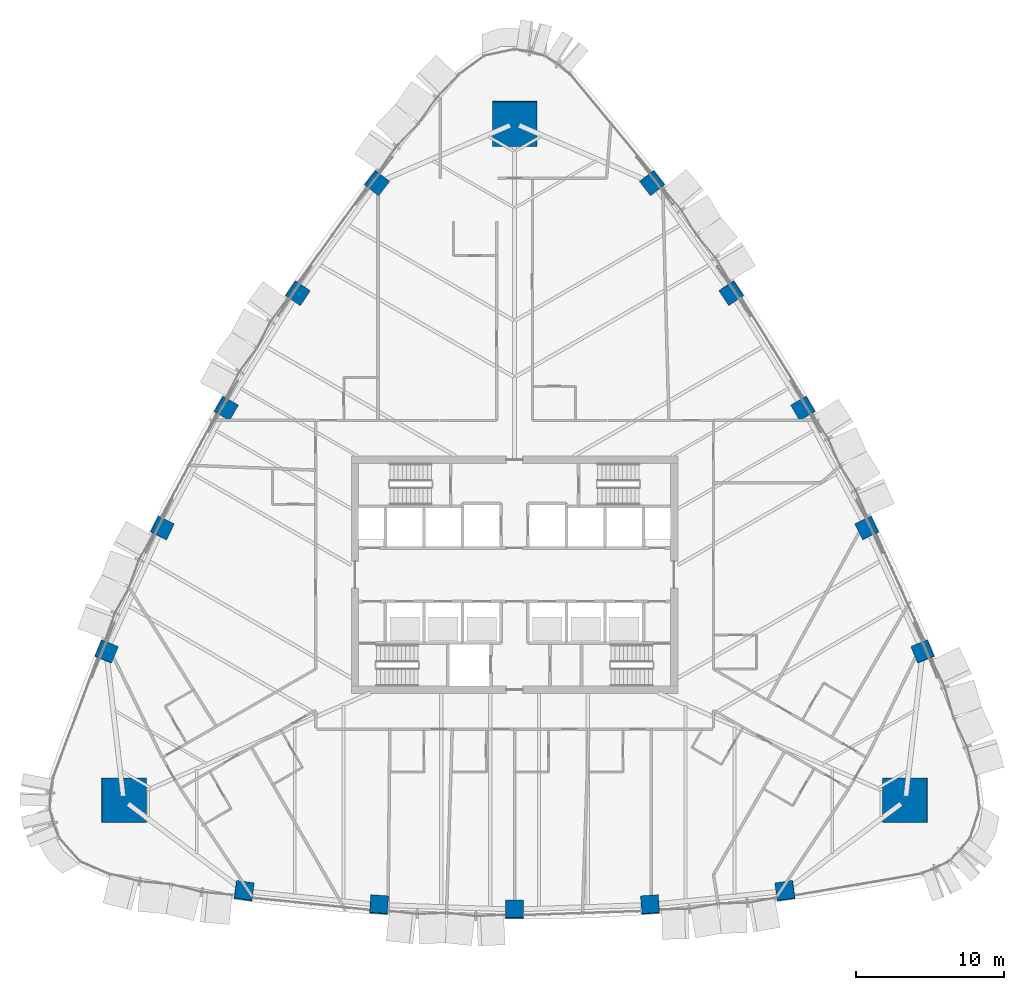
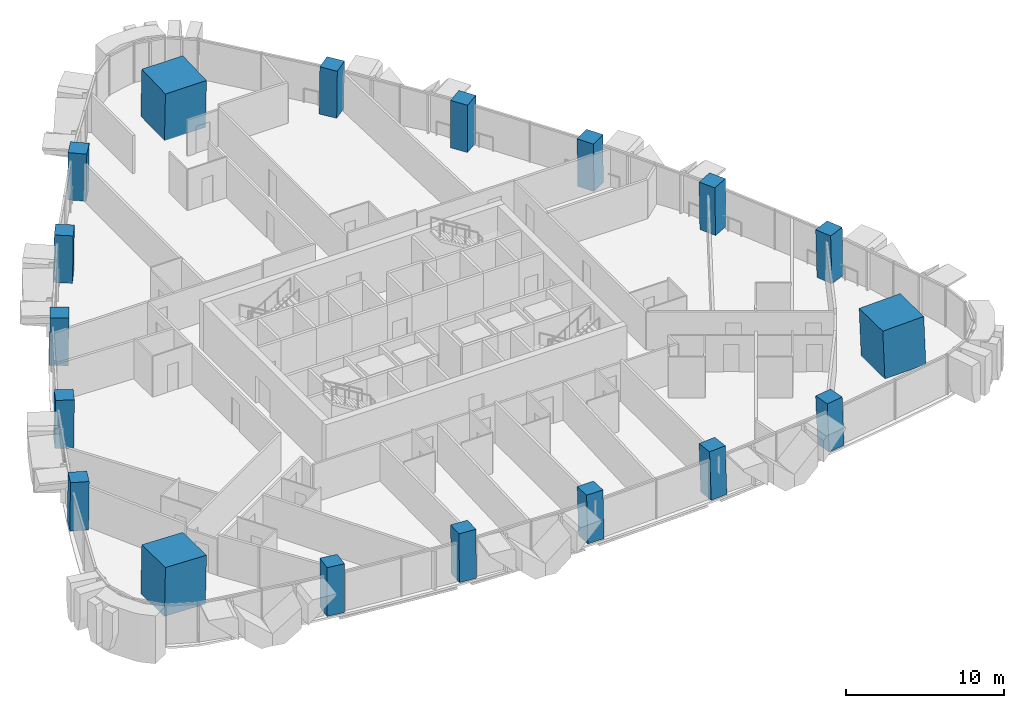
# One storey, part 1 of 19: 18 columns.
"""IFC4 building model written with IfcOpenShell, lengths in metres."""

import ifcopenshell
import ifcopenshell.guid

model = None  # the IFC model being written
_history = None  # IfcOwnerHistory: only IFC2X3 demands one
_inside = {}  # id of a spatial element -> (the spatial element, [elements in it])
_under = {}  # id of a project, library or spatial element -> (it, [spatial elements below it])
_declared = {}  # id of a project -> (the project, [libraries it declares])
_typed = {}  # id of a type object -> (the type object, [elements of that type])
_made_of = {}  # id of a material, layer set ... -> (it, [elements and type objects made of it])


def new_model(schema):
    """Start an empty IFC model of exactly this schema.

    Asked for "IFC4X3", IfcOpenShell would pick the latest addendum, in which some entities
    have other attributes; the version numbers below select the first issue.
    IFC2X3 requires an IfcOwnerHistory on every rooted entity: one is made here for all.
    """
    global model, _history
    if schema == "IFC4X3":
        model = ifcopenshell.file(schema_version=(4, 3, 0, 0))
    else:
        model = ifcopenshell.file(schema=schema)
    _inside.clear()
    _under.clear()
    _declared.clear()
    _typed.clear()
    _made_of.clear()
    _history = None
    if model.schema == "IFC2X3":
        org = make("IfcOrganization", Name="unknown")
        user = make(
            "IfcPersonAndOrganization",
            ThePerson=make("IfcPerson", FamilyName="unknown"),
            TheOrganization=org,
        )
        app = make(
            "IfcApplication",
            ApplicationDeveloper=org,
            Version="unknown",
            ApplicationFullName="unknown",
            ApplicationIdentifier="unknown",
        )
        _history = make(
            "IfcOwnerHistory",
            OwningUser=user,
            OwningApplication=app,
            ChangeAction="ADDED",
            CreationDate=0,
        )
    return model


def make(cls, **values):
    """One entity of the class cls with the attributes given. An attribute that is None is left unset."""
    return model.create_entity(
        cls, **{name: value for name, value in values.items() if value is not None}
    )


def rooted(cls, **values):
    """An entity with a GlobalId (a new one), such as an element, a storey or a relation."""
    return make(cls, GlobalId=ifcopenshell.guid.new(), OwnerHistory=_history, **values)


def si_unit(unit_type, name, prefix=None):
    """IfcSIUnit, for example si_unit("LENGTHUNIT", "METRE", prefix="MILLI")."""
    return make("IfcSIUnit", UnitType=unit_type, Prefix=prefix, Name=name)


def assignment(units):
    """IfcUnitAssignment: the units of a project."""
    return None if units is None else make("IfcUnitAssignment", Units=units)


def point(xyz):
    """IfcCartesianPoint."""
    return None if xyz is None else make("IfcCartesianPoint", Coordinates=xyz)


def direction(xyz):
    """IfcDirection."""
    return None if xyz is None else make("IfcDirection", DirectionRatios=xyz)


def frame(location, z_axis=None, x_axis=None):
    """IfcAxis2Placement3D, a coordinate frame: its origin and axes. An axis left out is left unset."""
    return make(
        "IfcAxis2Placement3D",
        Location=point(location),
        Axis=direction(z_axis),
        RefDirection=direction(x_axis),
    )


def frame_2d(location, x_axis=None):
    """IfcAxis2Placement2D, a coordinate frame in the plane: its origin and x axis."""
    return make(
        "IfcAxis2Placement2D", Location=point(location), RefDirection=direction(x_axis)
    )


def origin():
    """The frame at (0, 0, 0) with its axes left unset."""
    return frame((0.0, 0.0, 0.0))


def origin_2d():
    """The frame at (0, 0) in the plane with its x axis left unset."""
    return frame_2d((0.0, 0.0))


def place(relative_to, where):
    """IfcLocalPlacement: puts the frame where relative to a parent placement (None: the world)."""
    return make(
        "IfcLocalPlacement", PlacementRelTo=relative_to, RelativePlacement=where
    )


def context(
    kind, dimensions, precision=None, world=None, true_north=None, identifier=None
):
    """IfcGeometricRepresentationContext, for example the 3D "Model" context."""
    return make(
        "IfcGeometricRepresentationContext",
        ContextIdentifier=identifier,
        ContextType=kind,
        CoordinateSpaceDimension=dimensions,
        Precision=precision,
        WorldCoordinateSystem=world,
        TrueNorth=true_north,
    )


def subcontext(parent, identifier, kind, view, scale=None):
    """IfcGeometricRepresentationSubContext, for example "Body" below "Model"."""
    return make(
        "IfcGeometricRepresentationSubContext",
        ContextIdentifier=identifier,
        ContextType=kind,
        ParentContext=parent,
        TargetScale=scale,
        TargetView=view,
    )


def project(units=None, contexts=None):
    """IfcProject with its units and contexts."""
    return rooted(
        "IfcProject",
        Name="project",
        RepresentationContexts=contexts,
        UnitsInContext=assignment(units),
    )


def spatial(cls, under=None, at=None, **own):
    """A site, building, storey or space (cls), placed at a placement, below another one or the project."""
    s = rooted(cls, ObjectPlacement=at, **own)
    if under is not None:
        _under.setdefault(under.id(), (under, []))[1].append(s)
    return s


def profile(cls, at=None, kind="AREA", **sizes):
    """A parametric profile (cls). Its sizes go by their IFC names, for example OverallWidth=200.0."""
    return make(cls, ProfileType=kind, Position=at, **sizes)


def rectangle(**sizes):
    """IfcRectangleProfileDef."""
    return profile("IfcRectangleProfileDef", **sizes)


def extrude(swept, where, along, depth):
    """IfcExtrudedAreaSolid: the profile swept, set in the frame where, extruded along a direction by depth."""
    return make(
        "IfcExtrudedAreaSolid",
        SweptArea=swept,
        Position=where,
        ExtrudedDirection=direction(along),
        Depth=depth,
    )


def clip(a, b, op="DIFFERENCE"):
    """IfcBooleanClippingResult: the solid a cut by the half space b."""
    return make(
        "IfcBooleanClippingResult", Operator=op, FirstOperand=a, SecondOperand=b
    )


def halfspace(plane, agree):
    """IfcHalfSpaceSolid: all space on one side of the plane z = 0 of the frame plane."""
    return make(
        "IfcHalfSpaceSolid",
        BaseSurface=make("IfcPlane", Position=plane),
        AgreementFlag=agree,
    )


def shape(context_of_items, identifier, shape_type, items):
    """IfcShapeRepresentation: the items that make up one representation, for example the "Body"."""
    return make(
        "IfcShapeRepresentation",
        ContextOfItems=context_of_items,
        RepresentationIdentifier=identifier,
        RepresentationType=shape_type,
        Items=items,
    )


def material(Name=None, Category=None):
    """IfcMaterial."""
    return make("IfcMaterial", Name=Name, Category=Category)


def material_profile(
    of_material, cross_section, Name=None, Category=None, Priority=None
):
    """IfcMaterialProfile: a cross section and its material."""
    return make(
        "IfcMaterialProfile",
        Name=Name,
        Material=of_material,
        Profile=cross_section,
        Priority=Priority,
        Category=Category,
    )


def profile_set(profiles, Name=None, composite=None):
    """IfcMaterialProfileSet."""
    return make(
        "IfcMaterialProfileSet",
        Name=Name,
        MaterialProfiles=profiles,
        CompositeProfile=composite,
    )


def made_of(thing, what):
    """Note that an element or type object is made of a material, layer set ...; save() writes the relation."""
    if what is not None:
        _made_of.setdefault(what.id(), (what, []))[1].append(thing)
    return thing


def type_object(cls, material=None, **own):
    """A type object (cls), such as IfcWallType, which elements share."""
    return made_of(rooted(cls, **own), material)


def element(
    cls,
    number,
    at=None,
    inside=None,
    cuts=None,
    type_object=None,
    material=None,
    context=None,
    identifier="Body",
    shape_type=None,
    held_by="IfcProductDefinitionShape",
    body=None,
    shapes=None,
    **own,
):
    """One element of the class cls, such as IfcWall. Its Tag is "e" and its number.

    at: its placement. inside: the storey or other place that contains it. cuts: it is an
    opening in that element (IfcRelVoidsElement). A single representation is given by context,
    identifier, shape_type and body (its items); several are given by shapes. held_by: the class
    of the entity that holds the representations. save() writes the other relations.
    """
    e = rooted(cls, Tag="e%d" % number, ObjectPlacement=at, **own)
    if body is not None:
        shapes = [shape(context, identifier, shape_type, body)]
    if shapes is not None:
        e.Representation = make(held_by, Representations=shapes)
    if inside is not None:
        _inside.setdefault(inside.id(), (inside, []))[1].append(e)
    if cuts is not None:
        rooted(
            "IfcRelVoidsElement", RelatingBuildingElement=cuts, RelatedOpeningElement=e
        )
    if type_object is not None:
        _typed.setdefault(type_object.id(), (type_object, []))[1].append(e)
    return made_of(e, material)


def aggregate(whole, parts):
    """IfcRelAggregates: a whole, such as a stair, and the parts it consists of."""
    return rooted("IfcRelAggregates", RelatingObject=whole, RelatedObjects=parts)


def save(model, path):
    """Write the relations noted so far, then the file.

    IfcRelAggregates (storeys below a building ...), IfcRelContainedInSpatialStructure (elements
    in a storey), IfcRelDefinesByType, IfcRelAssociatesMaterial and IfcRelDeclares: one each for
    every whole, place, type object, material and project.
    """
    for whole, parts in _under.values():
        aggregate(whole, parts)
    for where, things in _inside.values():
        rooted(
            "IfcRelContainedInSpatialStructure",
            RelatedElements=things,
            RelatingStructure=where,
        )
    for kind, things in _typed.values():
        rooted("IfcRelDefinesByType", RelatedObjects=things, RelatingType=kind)
    for what, things in _made_of.values():
        rooted("IfcRelAssociatesMaterial", RelatedObjects=things, RelatingMaterial=what)
    for by, libraries in _declared.values():
        rooted("IfcRelDeclares", RelatingContext=by, RelatedDefinitions=libraries)
    model.write(path)


model = new_model("IFC4")

# Units and contexts
model_context = context("Model", 3, precision=1e-05, world=origin(), true_north=direction((0.0, 1.0)))
body_context = subcontext(model_context, "Body", "Model", "MODEL_VIEW")
ifc_project = project(units=[si_unit("LENGTHUNIT", "METRE"), si_unit("AREAUNIT", "SQUARE_METRE"), si_unit("VOLUMEUNIT", "CUBIC_METRE"), si_unit("PLANEANGLEUNIT", "RADIAN"), si_unit("MASSUNIT", "GRAM", prefix="KILO")], contexts=[model_context])

# Site, building, storey
site_placement = place(None, origin())
site = spatial("IfcSite", under=ifc_project, at=site_placement, CompositionType="ELEMENT")
building_placement = place(site_placement, origin())
building = spatial("IfcBuilding", under=site, at=building_placement, Name="Sierra Prisma Convention Tower", CompositionType="ELEMENT")
storey_placement = place(building_placement, frame((0.0, 0.0, 77.60009765625)))
storey = spatial("IfcBuildingStorey", under=building, at=storey_placement, Name="L15", CompositionType="ELEMENT", Elevation=77.60009765625)

# Columns
ifc_material_1 = material(Name="Concrete C60/75", Category="concrete")
ifc_material_profile_1 = material_profile(ifc_material_1, rectangle(XDim=3.0, YDim=3.0, at=origin_2d()), Name="Mega column RC 3000 C60/75")
ifc_profile_set_1 = profile_set([ifc_material_profile_1], Name="Concrete C60/75")
column_type_1 = type_object("IfcColumnType", Name="Mega column RC 3000 C60/75", PredefinedType="COLUMN", material=ifc_profile_set_1)
for number, where, z_axis, x_axis, name in (
    (1, (26.336669921875, -15.20556640625, 0.0), (-0.030531956516, 0.017672925154, 0.999377539946), (0.99953379114, 0.000539840661, 0.030527183636), "Mega column SE L15"),
    (2, (0.0, 30.410888671875, 0.0), (0.0, -0.035214042205, 0.999379793288), (1.0, 0.0, 0.0), "Mega column N L15"),
    (3, (-26.336669921875, -15.20556640625, 0.0), (0.030531956516, 0.017672925154, 0.999377539946), (0.99953379114, -0.000539840661, -0.030527183636), "Mega column SW L15"),
):
    element("IfcColumn", number, at=place(storey_placement, frame(where, z_axis=z_axis, x_axis=x_axis)), inside=storey, type_object=column_type_1, Name=name, PredefinedType="COLUMN", context=body_context, shape_type="SweptSolid", body=[
        extrude(rectangle(XDim=3.0, YDim=3.0, at=origin_2d()), origin(), (0.0, 0.0, 1.0), 3.7021484375),
    ])
ifc_material_2 = material(Name="Concrete C60/75", Category="concrete")
ifc_material_profile_2 = material_profile(ifc_material_2, rectangle(XDim=1.199951171875, YDim=1.199951171875, at=origin_2d()), Name="Perimeter column RC 1200 C60/75")
ifc_profile_set_2 = profile_set([ifc_material_profile_2], Name="Concrete C60/75")
column_type_2 = type_object("IfcColumnType", Name="Perimeter column RC 1200 C60/75", PredefinedType="COLUMN", material=ifc_profile_set_2)
column_1_placement = place(storey_placement, frame((-18.23095703125, -21.30810546875, 0.0), z_axis=(0.019253687779, 0.03270489431, 0.999279583197), x_axis=(-0.990559922783, 0.136298030063, 0.014624854803)))
element("IfcColumn", 4, at=column_1_placement, inside=storey, type_object=column_type_2, Name="Perimeter column S-1 L15", PredefinedType="COLUMN", context=body_context, shape_type="SweptSolid", body=[
    clip(clip(extrude(rectangle(XDim=1.199951171875, YDim=1.199951171875, at=origin_2d()), origin(), (0.0, 0.0, 1.0), 3.70263671875), halfspace(frame((0.0, 0.0, 0.0146484375)), True)), halfspace(frame((0.0, 0.0, 3.695068359375)), False)),
])
column_2_placement = place(storey_placement, frame((-9.135498046875, -22.240234375, 0.0), z_axis=(0.009625518264, 0.040282134652, 0.999141981415), x_axis=(-0.997637584902, 0.068353896392, 0.006855219842)))
element("IfcColumn", 5, at=column_2_placement, inside=storey, type_object=column_type_2, Name="Perimeter column S-2 L15", PredefinedType="COLUMN", context=body_context, shape_type="SweptSolid", body=[
    clip(clip(extrude(rectangle(XDim=1.199951171875, YDim=1.199951171875, at=origin_2d()), origin(), (0.0, 0.0, 1.0), 3.703125), halfspace(frame((0.0, 0.0, 0.018310546875)), True)), halfspace(frame((0.0, 0.0, 3.69384765625)), False)),
])
column_3_placement = place(storey_placement, frame((0.0, -22.55126953125, 0.0), z_axis=(0.0, 0.0427849366, 0.999084305352), x_axis=(1.0, 0.0, 0.0)))
element("IfcColumn", 6, at=column_3_placement, inside=storey, type_object=column_type_2, Name="Perimeter column S-3 L15", PredefinedType="COLUMN", context=body_context, shape_type="SweptSolid", body=[
    clip(clip(extrude(rectangle(XDim=1.199951171875, YDim=1.199951171875, at=origin_2d()), origin(), (0.0, 0.0, 1.0), 3.703369140625), halfspace(frame((0.0, 0.0, 0.0185546875)), True)), halfspace(frame((0.0, 0.0, 3.69384765625)), False)),
])
column_4_placement = place(storey_placement, frame((9.135498046875, -22.240234375, 0.0), z_axis=(-0.009625518264, 0.040282134652, 0.999141981415), x_axis=(0.997637584902, 0.068353896392, 0.006855219842)))
element("IfcColumn", 7, at=column_4_placement, inside=storey, type_object=column_type_2, Name="Perimeter column S-4 L15", PredefinedType="COLUMN", context=body_context, shape_type="SweptSolid", body=[
    clip(clip(extrude(rectangle(XDim=1.199951171875, YDim=1.199951171875, at=origin_2d()), origin(), (0.0, 0.0, 1.0), 3.703125), halfspace(frame((0.0, 0.0, 0.018310546875)), True)), halfspace(frame((0.0, 0.0, 3.69384765625)), False)),
])
column_5_placement = place(storey_placement, frame((18.23095703125, -21.30810546875, 0.0), z_axis=(-0.019253687779, 0.03270489431, 0.999279583197), x_axis=(0.990559922783, 0.136298030063, 0.014624854803)))
element("IfcColumn", 8, at=column_5_placement, inside=storey, type_object=column_type_2, Name="Perimeter column S-5 L15", PredefinedType="COLUMN", context=body_context, shape_type="SweptSolid", body=[
    clip(clip(extrude(rectangle(XDim=1.199951171875, YDim=1.199951171875, at=origin_2d()), origin(), (0.0, 0.0, 1.0), 3.70263671875), halfspace(frame((0.0, 0.0, 0.0146484375)), True)), halfspace(frame((0.0, 0.0, 3.695068359375)), False)),
])
column_6_placement = place(storey_placement, frame((27.500244140625, -5.174072265625, 0.0), z_axis=(-0.019460655113, 0.011016709844, 0.999749926235), x_axis=(-0.381127273401, 0.924354950562, -0.017604739188)))
element("IfcColumn", 9, at=column_6_placement, inside=storey, type_object=column_type_2, Name="Perimeter column NE-1 L15", PredefinedType="COLUMN", context=body_context, shape_type="SweptSolid", body=[
    extrude(rectangle(XDim=1.199951171875, YDim=1.199951171875, at=origin_2d()), origin(), (0.0, 0.0, 1.0), 3.700927734375),
])
column_7_placement = place(storey_placement, frame((23.73779296875, 3.15625, 0.0), z_axis=(-0.015240683228, 0.002309194428, 0.99988118754), x_axis=(-0.441517205772, 0.897209609592, -0.00880190108)))
element("IfcColumn", 10, at=column_7_placement, inside=storey, type_object=column_type_2, Name="Perimeter column NE-2 L15", PredefinedType="COLUMN", context=body_context, shape_type="SweptSolid", body=[
    extrude(rectangle(XDim=1.199951171875, YDim=1.199951171875, at=origin_2d()), origin(), (0.0, 0.0, 1.0), 3.700439453125),
])
column_8_placement = place(storey_placement, frame((19.432373046875, 11.21923828125, 0.0), z_axis=(-0.010688725148, -0.006202099777, 0.999923639641), x_axis=(-0.499971436973, 0.8660418936, 2.7223042e-05)))
element("IfcColumn", 11, at=column_8_placement, inside=storey, type_object=column_type_2, Name="Perimeter column NE-3 L15", PredefinedType="COLUMN", context=body_context, shape_type="SweptSolid", body=[
    extrude(rectangle(XDim=1.199951171875, YDim=1.199951171875, at=origin_2d()), origin(), (0.0, 0.0, 1.0), 3.7001953125),
])
column_9_placement = place(storey_placement, frame((14.602294921875, 18.9794921875, 0.0), z_axis=(-0.005608041623, -0.014382977338, 0.999880832816), x_axis=(-0.556228853543, 0.830982206966, 0.008833696375)))
element("IfcColumn", 12, at=column_9_placement, inside=storey, type_object=column_type_2, Name="Perimeter column NE-4 L15", PredefinedType="COLUMN", context=body_context, shape_type="SweptSolid", body=[
    extrude(rectangle(XDim=1.199951171875, YDim=1.199951171875, at=origin_2d()), origin(), (0.0, 0.0, 1.0), 3.700439453125),
])
for number, where, z_axis, x_axis, name in (
    (13, (9.269287109375, 26.40283203125, 0.0), (-0.000197905252, -0.022297325047, 0.999751364155), (-0.610034521504, 0.792180522631, 0.017547140421), "Perimeter column NE-5 L15"),
    (14, (-9.269287109375, 26.40283203125, 0.0), (0.000197905252, -0.022297325047, 0.999751364155), (0.610034521504, 0.792180522631, 0.017547140421), "Perimeter column NW-1 L15"),
):
    element("IfcColumn", number, at=place(storey_placement, frame(where, z_axis=z_axis, x_axis=x_axis)), inside=storey, type_object=column_type_2, Name=name, PredefinedType="COLUMN", context=body_context, shape_type="SweptSolid", body=[
        extrude(rectangle(XDim=1.199951171875, YDim=1.199951171875, at=origin_2d()), origin(), (0.0, 0.0, 1.0), 3.700927734375),
    ])
column_10_placement = place(storey_placement, frame((-14.602294921875, 18.9794921875, 0.0), z_axis=(0.005608041623, -0.014382977338, 0.999880832816), x_axis=(0.556228853543, 0.830982206966, 0.008833696375)))
element("IfcColumn", 15, at=column_10_placement, inside=storey, type_object=column_type_2, Name="Perimeter column NW-2 L15", PredefinedType="COLUMN", context=body_context, shape_type="SweptSolid", body=[
    extrude(rectangle(XDim=1.199951171875, YDim=1.199951171875, at=origin_2d()), origin(), (0.0, 0.0, 1.0), 3.700439453125),
])
column_11_placement = place(storey_placement, frame((-19.432373046875, 11.21923828125, 0.0), z_axis=(0.010688725148, -0.006202099777, 0.999923639641), x_axis=(0.499971436973, 0.8660418936, 2.7223042e-05)))
element("IfcColumn", 16, at=column_11_placement, inside=storey, type_object=column_type_2, Name="Perimeter column NW-3 L15", PredefinedType="COLUMN", context=body_context, shape_type="SweptSolid", body=[
    extrude(rectangle(XDim=1.199951171875, YDim=1.199951171875, at=origin_2d()), origin(), (0.0, 0.0, 1.0), 3.7001953125),
])
column_12_placement = place(storey_placement, frame((-23.73779296875, 3.15625, 0.0), z_axis=(0.015240683228, 0.002309194428, 0.99988118754), x_axis=(0.441517205772, 0.897209609592, -0.00880190108)))
element("IfcColumn", 17, at=column_12_placement, inside=storey, type_object=column_type_2, Name="Perimeter column NW-4 L15", PredefinedType="COLUMN", context=body_context, shape_type="SweptSolid", body=[
    extrude(rectangle(XDim=1.199951171875, YDim=1.199951171875, at=origin_2d()), origin(), (0.0, 0.0, 1.0), 3.700439453125),
])
column_13_placement = place(storey_placement, frame((-27.500244140625, -5.174072265625, 0.0), z_axis=(0.019460655113, 0.011016709844, 0.999749926235), x_axis=(0.381127273401, 0.924354950562, -0.017604739188)))
element("IfcColumn", 18, at=column_13_placement, inside=storey, type_object=column_type_2, Name="Perimeter column NW-5 L15", PredefinedType="COLUMN", context=body_context, shape_type="SweptSolid", body=[
    extrude(rectangle(XDim=1.199951171875, YDim=1.199951171875, at=origin_2d()), origin(), (0.0, 0.0, 1.0), 3.700927734375),
])

save(model, "model.ifc")
